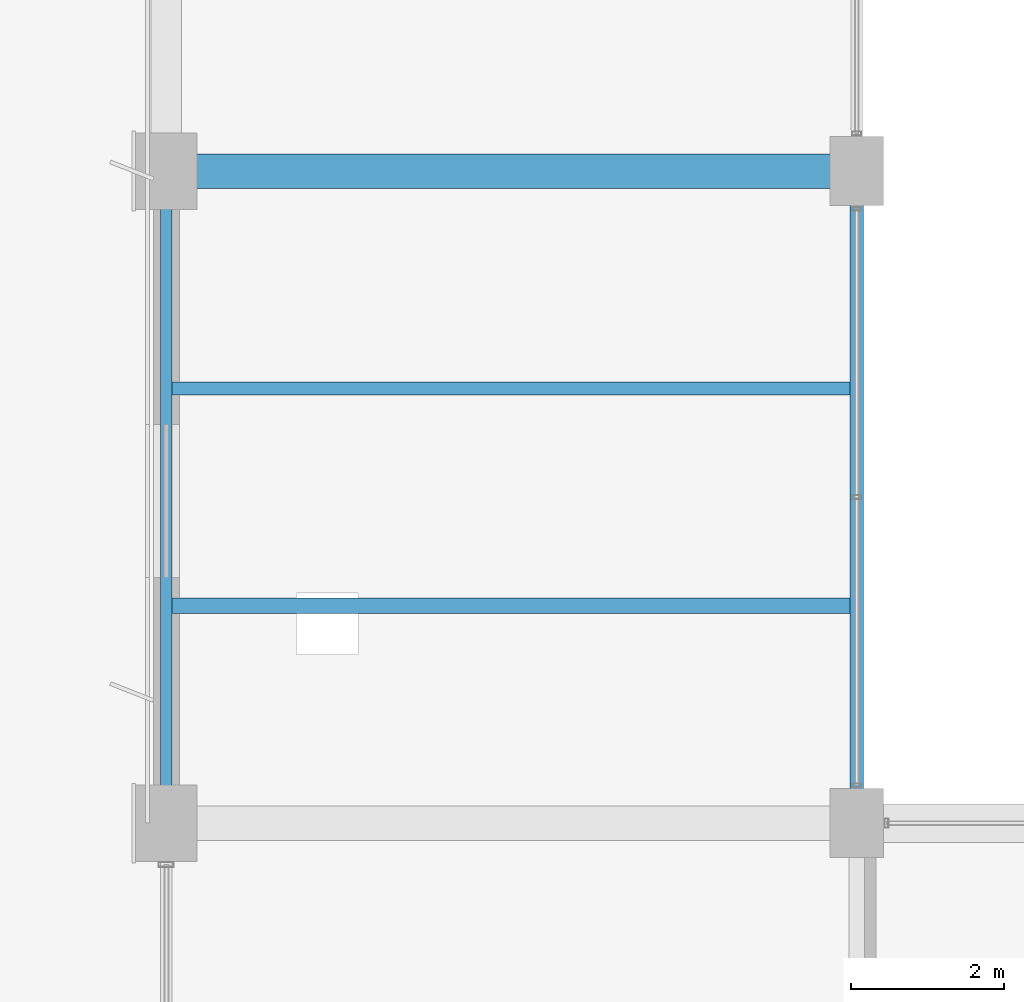
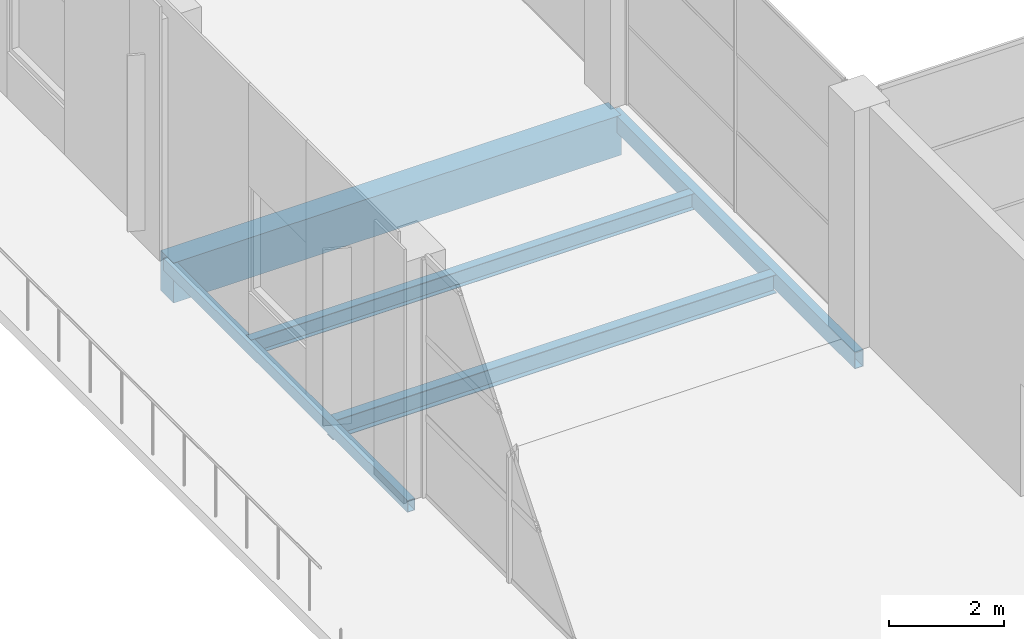
# One storey, part 47 of 90: 5 beams.
"""IFC4 building model written with IfcOpenShell, lengths in metres."""

import ifcopenshell
import ifcopenshell.guid

model = None  # the IFC model being written
_history = None  # IfcOwnerHistory: only IFC2X3 demands one
_inside = {}  # id of a spatial element -> (the spatial element, [elements in it])
_under = {}  # id of a project, library or spatial element -> (it, [spatial elements below it])
_declared = {}  # id of a project -> (the project, [libraries it declares])
_typed = {}  # id of a type object -> (the type object, [elements of that type])
_made_of = {}  # id of a material, layer set ... -> (it, [elements and type objects made of it])


def new_model(schema):
    """Start an empty IFC model of exactly this schema.

    Asked for "IFC4X3", IfcOpenShell would pick the latest addendum, in which some entities
    have other attributes; the version numbers below select the first issue.
    IFC2X3 requires an IfcOwnerHistory on every rooted entity: one is made here for all.
    """
    global model, _history
    if schema == "IFC4X3":
        model = ifcopenshell.file(schema_version=(4, 3, 0, 0))
    else:
        model = ifcopenshell.file(schema=schema)
    _inside.clear()
    _under.clear()
    _declared.clear()
    _typed.clear()
    _made_of.clear()
    _history = None
    if model.schema == "IFC2X3":
        org = make("IfcOrganization", Name="unknown")
        user = make(
            "IfcPersonAndOrganization",
            ThePerson=make("IfcPerson", FamilyName="unknown"),
            TheOrganization=org,
        )
        app = make(
            "IfcApplication",
            ApplicationDeveloper=org,
            Version="unknown",
            ApplicationFullName="unknown",
            ApplicationIdentifier="unknown",
        )
        _history = make(
            "IfcOwnerHistory",
            OwningUser=user,
            OwningApplication=app,
            ChangeAction="ADDED",
            CreationDate=0,
        )
    return model


def make(cls, **values):
    """One entity of the class cls with the attributes given. An attribute that is None is left unset."""
    return model.create_entity(
        cls, **{name: value for name, value in values.items() if value is not None}
    )


def rooted(cls, **values):
    """An entity with a GlobalId (a new one), such as an element, a storey or a relation."""
    return make(cls, GlobalId=ifcopenshell.guid.new(), OwnerHistory=_history, **values)


def si_unit(unit_type, name, prefix=None):
    """IfcSIUnit, for example si_unit("LENGTHUNIT", "METRE", prefix="MILLI")."""
    return make("IfcSIUnit", UnitType=unit_type, Prefix=prefix, Name=name)


def assignment(units):
    """IfcUnitAssignment: the units of a project."""
    return None if units is None else make("IfcUnitAssignment", Units=units)


def point(xyz):
    """IfcCartesianPoint."""
    return None if xyz is None else make("IfcCartesianPoint", Coordinates=xyz)


def direction(xyz):
    """IfcDirection."""
    return None if xyz is None else make("IfcDirection", DirectionRatios=xyz)


def frame(location, z_axis=None, x_axis=None):
    """IfcAxis2Placement3D, a coordinate frame: its origin and axes. An axis left out is left unset."""
    return make(
        "IfcAxis2Placement3D",
        Location=point(location),
        Axis=direction(z_axis),
        RefDirection=direction(x_axis),
    )


def frame_2d(location, x_axis=None):
    """IfcAxis2Placement2D, a coordinate frame in the plane: its origin and x axis."""
    return make(
        "IfcAxis2Placement2D", Location=point(location), RefDirection=direction(x_axis)
    )


def origin():
    """The frame at (0, 0, 0) with its axes left unset."""
    return frame((0.0, 0.0, 0.0))


def origin_2d():
    """The frame at (0, 0) in the plane with its x axis left unset."""
    return frame_2d((0.0, 0.0))


def place(relative_to, where):
    """IfcLocalPlacement: puts the frame where relative to a parent placement (None: the world)."""
    return make(
        "IfcLocalPlacement", PlacementRelTo=relative_to, RelativePlacement=where
    )


def context(
    kind, dimensions, precision=None, world=None, true_north=None, identifier=None
):
    """IfcGeometricRepresentationContext, for example the 3D "Model" context."""
    return make(
        "IfcGeometricRepresentationContext",
        ContextIdentifier=identifier,
        ContextType=kind,
        CoordinateSpaceDimension=dimensions,
        Precision=precision,
        WorldCoordinateSystem=world,
        TrueNorth=true_north,
    )


def subcontext(parent, identifier, kind, view, scale=None):
    """IfcGeometricRepresentationSubContext, for example "Body" below "Model"."""
    return make(
        "IfcGeometricRepresentationSubContext",
        ContextIdentifier=identifier,
        ContextType=kind,
        ParentContext=parent,
        TargetScale=scale,
        TargetView=view,
    )


def project(units=None, contexts=None):
    """IfcProject with its units and contexts."""
    return rooted(
        "IfcProject",
        Name="project",
        RepresentationContexts=contexts,
        UnitsInContext=assignment(units),
    )


def spatial(cls, under=None, at=None, **own):
    """A site, building, storey or space (cls), placed at a placement, below another one or the project."""
    s = rooted(cls, ObjectPlacement=at, **own)
    if under is not None:
        _under.setdefault(under.id(), (under, []))[1].append(s)
    return s


def profile(cls, at=None, kind="AREA", **sizes):
    """A parametric profile (cls). Its sizes go by their IFC names, for example OverallWidth=200.0."""
    return make(cls, ProfileType=kind, Position=at, **sizes)


def rectangle(**sizes):
    """IfcRectangleProfileDef."""
    return profile("IfcRectangleProfileDef", **sizes)


def hollow_rectangle(**sizes):
    """IfcRectangleHollowProfileDef."""
    return profile("IfcRectangleHollowProfileDef", **sizes)


def i_section(**sizes):
    """IfcIShapeProfileDef."""
    return profile("IfcIShapeProfileDef", **sizes)


def extrude(swept, where, along, depth):
    """IfcExtrudedAreaSolid: the profile swept, set in the frame where, extruded along a direction by depth."""
    return make(
        "IfcExtrudedAreaSolid",
        SweptArea=swept,
        Position=where,
        ExtrudedDirection=direction(along),
        Depth=depth,
    )


def shape(context_of_items, identifier, shape_type, items):
    """IfcShapeRepresentation: the items that make up one representation, for example the "Body"."""
    return make(
        "IfcShapeRepresentation",
        ContextOfItems=context_of_items,
        RepresentationIdentifier=identifier,
        RepresentationType=shape_type,
        Items=items,
    )


def material(Name=None, Category=None):
    """IfcMaterial."""
    return make("IfcMaterial", Name=Name, Category=Category)


def material_profile(
    of_material, cross_section, Name=None, Category=None, Priority=None
):
    """IfcMaterialProfile: a cross section and its material."""
    return make(
        "IfcMaterialProfile",
        Name=Name,
        Material=of_material,
        Profile=cross_section,
        Priority=Priority,
        Category=Category,
    )


def profile_set(profiles, Name=None, composite=None):
    """IfcMaterialProfileSet."""
    return make(
        "IfcMaterialProfileSet",
        Name=Name,
        MaterialProfiles=profiles,
        CompositeProfile=composite,
    )


def made_of(thing, what):
    """Note that an element or type object is made of a material, layer set ...; save() writes the relation."""
    if what is not None:
        _made_of.setdefault(what.id(), (what, []))[1].append(thing)
    return thing


def type_object(cls, material=None, **own):
    """A type object (cls), such as IfcWallType, which elements share."""
    return made_of(rooted(cls, **own), material)


def element(
    cls,
    number,
    at=None,
    inside=None,
    cuts=None,
    type_object=None,
    material=None,
    context=None,
    identifier="Body",
    shape_type=None,
    held_by="IfcProductDefinitionShape",
    body=None,
    shapes=None,
    **own,
):
    """One element of the class cls, such as IfcWall. Its Tag is "e" and its number.

    at: its placement. inside: the storey or other place that contains it. cuts: it is an
    opening in that element (IfcRelVoidsElement). A single representation is given by context,
    identifier, shape_type and body (its items); several are given by shapes. held_by: the class
    of the entity that holds the representations. save() writes the other relations.
    """
    e = rooted(cls, Tag="e%d" % number, ObjectPlacement=at, **own)
    if body is not None:
        shapes = [shape(context, identifier, shape_type, body)]
    if shapes is not None:
        e.Representation = make(held_by, Representations=shapes)
    if inside is not None:
        _inside.setdefault(inside.id(), (inside, []))[1].append(e)
    if cuts is not None:
        rooted(
            "IfcRelVoidsElement", RelatingBuildingElement=cuts, RelatedOpeningElement=e
        )
    if type_object is not None:
        _typed.setdefault(type_object.id(), (type_object, []))[1].append(e)
    return made_of(e, material)


def aggregate(whole, parts):
    """IfcRelAggregates: a whole, such as a stair, and the parts it consists of."""
    return rooted("IfcRelAggregates", RelatingObject=whole, RelatedObjects=parts)


def save(model, path):
    """Write the relations noted so far, then the file.

    IfcRelAggregates (storeys below a building ...), IfcRelContainedInSpatialStructure (elements
    in a storey), IfcRelDefinesByType, IfcRelAssociatesMaterial and IfcRelDeclares: one each for
    every whole, place, type object, material and project.
    """
    for whole, parts in _under.values():
        aggregate(whole, parts)
    for where, things in _inside.values():
        rooted(
            "IfcRelContainedInSpatialStructure",
            RelatedElements=things,
            RelatingStructure=where,
        )
    for kind, things in _typed.values():
        rooted("IfcRelDefinesByType", RelatedObjects=things, RelatingType=kind)
    for what, things in _made_of.values():
        rooted("IfcRelAssociatesMaterial", RelatedObjects=things, RelatingMaterial=what)
    for by, libraries in _declared.values():
        rooted("IfcRelDeclares", RelatingContext=by, RelatedDefinitions=libraries)
    model.write(path)


model = new_model("IFC4")

# Units and contexts
model_context = context("Model", 3, precision=1e-05, world=origin(), true_north=direction((0.0, 1.0)))
body_context = subcontext(model_context, "Body", "Model", "MODEL_VIEW")
ifc_project = project(units=[si_unit("LENGTHUNIT", "METRE"), si_unit("AREAUNIT", "SQUARE_METRE"), si_unit("VOLUMEUNIT", "CUBIC_METRE"), si_unit("PLANEANGLEUNIT", "RADIAN"), si_unit("MASSUNIT", "GRAM", prefix="KILO")], contexts=[model_context])

# Site, building, storey
site_placement = place(None, origin())
site = spatial("IfcSite", under=ifc_project, at=site_placement, CompositionType="ELEMENT")
building_placement = place(site_placement, origin())
building = spatial("IfcBuilding", under=site, at=building_placement, Name="Solvikara Media Centre", CompositionType="ELEMENT")
storey_placement = place(building_placement, origin())
storey = spatial("IfcBuildingStorey", under=building, at=storey_placement, Name="L00", CompositionType="ELEMENT", Elevation=0.0)

# Beams
ifc_material_1 = material(Name="Concrete fc' 35 MPa (C35/45)", Category="concrete")
ifc_material_profile_1 = material_profile(ifc_material_1, rectangle(XDim=0.449951171875, YDim=0.85009765625, at=origin_2d()), Name="RC 450x850")
ifc_profile_set_1 = profile_set([ifc_material_profile_1], Name="Concrete fc' 35 MPa (C35/45)")
beam_type_1 = type_object("IfcBeamType", Name="BM-14", PredefinedType="SPANDREL", material=ifc_profile_set_1)
beam_1_placement = place(storey_placement, frame((127.5, 80.5, -0.804931640625), z_axis=(1.0, 0.0, 0.0), x_axis=(0.0, 1.0, 0.0)))
element("IfcBeam", 1, at=beam_1_placement, inside=storey, type_object=beam_type_1, Name="B-L00-X0086", PredefinedType="SPANDREL", context=body_context, shape_type="SweptSolid", body=[
    extrude(rectangle(XDim=0.449951171875, YDim=0.85009765625, at=origin_2d()), origin(), (0.0, 0.0, 1.0), 9.0),
])
ifc_material_2 = material(Name="Steel S355JR", Category="steel")
ifc_material_profile_2 = material_profile(ifc_material_2, hollow_rectangle(XDim=0.175048828125, YDim=0.35009765625, WallThickness=0.010009765625, at=origin_2d()), Name="RHS 350x175x10")
ifc_profile_set_2 = profile_set([ifc_material_profile_2], Name="Steel S355JR")
beam_type_2 = type_object("IfcBeamType", Name="BM-34", PredefinedType="SPANDREL", material=ifc_profile_set_2)
beam_2_placement = place(storey_placement, frame((136.5, 72.0, -0.556884765625), z_axis=(0.0, 1.0, 0.0), x_axis=(-1.0, 0.0, 0.0)))
element("IfcBeam", 2, at=beam_2_placement, inside=storey, type_object=beam_type_2, Name="B-L00-Y0208", PredefinedType="SPANDREL", context=body_context, shape_type="SweptSolid", body=[
    extrude(hollow_rectangle(XDim=0.175048828125, YDim=0.35009765625, WallThickness=0.010009765625, at=origin_2d()), origin(), (0.0, 0.0, 1.0), 8.5),
])
ifc_material_profile_3 = material_profile(ifc_material_2, hollow_rectangle(XDim=0.14990234375, YDim=0.25, WallThickness=0.008056640625, at=origin_2d()), Name="RHS 250x150x8")
ifc_profile_set_3 = profile_set([ifc_material_profile_3], Name="Steel S355JR")
beam_type_3 = type_object("IfcBeamType", Name="BM-36", PredefinedType="JOIST", material=ifc_profile_set_3)
beam_3_placement = place(storey_placement, frame((127.5, 72.0, -0.507080078125), z_axis=(0.0, 1.0, 0.0), x_axis=(-1.0, 0.0, 0.0)))
element("IfcBeam", 3, at=beam_3_placement, inside=storey, type_object=beam_type_3, Name="B-L00-Y0198", PredefinedType="JOIST", context=body_context, shape_type="SweptSolid", body=[
    extrude(hollow_rectangle(XDim=0.14990234375, YDim=0.25, WallThickness=0.008056640625, at=origin_2d()), origin(), (0.0, 0.0, 1.0), 8.5),
])
ifc_material_profile_4 = material_profile(ifc_material_2, i_section(OverallWidth=0.198974609375, OverallDepth=0.39599609375, WebThickness=0.007080078125, FlangeThickness=0.010986328125, at=origin_2d()), Name="WF 396x199x7x11")
ifc_profile_set_4 = profile_set([ifc_material_profile_4], Name="Steel S355JR")
beam_type_4 = type_object("IfcBeamType", Name="BM-37", PredefinedType="JOIST", material=ifc_profile_set_4)
beam_4_placement = place(storey_placement, frame((127.5, 74.8330078125, -0.580078125), z_axis=(1.0, 0.0, 0.0), x_axis=(0.0, 1.0, 0.0)))
element("IfcBeam", 4, at=beam_4_placement, inside=storey, type_object=beam_type_4, Name="J-L00-0389", PredefinedType="JOIST", context=body_context, shape_type="SweptSolid", body=[
    extrude(i_section(OverallWidth=0.198974609375, OverallDepth=0.39599609375, WebThickness=0.007080078125, FlangeThickness=0.010986328125, at=origin_2d()), origin(), (0.0, 0.0, 1.0), 8.922119140625),
])
ifc_material_profile_5 = material_profile(ifc_material_2, i_section(OverallWidth=0.174072265625, OverallDepth=0.345947265625, WebThickness=0.006103515625, FlangeThickness=0.009033203125, at=origin_2d()), Name="WF 346x174x6x9")
ifc_profile_set_5 = profile_set([ifc_material_profile_5], Name="Steel S355JR")
beam_type_5 = type_object("IfcBeamType", Name="BM-38", PredefinedType="JOIST", material=ifc_profile_set_5)
beam_5_placement = place(storey_placement, frame((127.5, 77.6669921875, -0.554931640625), z_axis=(1.0, 0.0, 0.0), x_axis=(0.0, 1.0, 0.0)))
element("IfcBeam", 5, at=beam_5_placement, inside=storey, type_object=beam_type_5, Name="J-L00-0390", PredefinedType="JOIST", context=body_context, shape_type="SweptSolid", body=[
    extrude(i_section(OverallWidth=0.174072265625, OverallDepth=0.345947265625, WebThickness=0.006103515625, FlangeThickness=0.009033203125, at=origin_2d()), origin(), (0.0, 0.0, 1.0), 8.922119140625),
])

save(model, "model.ifc")
